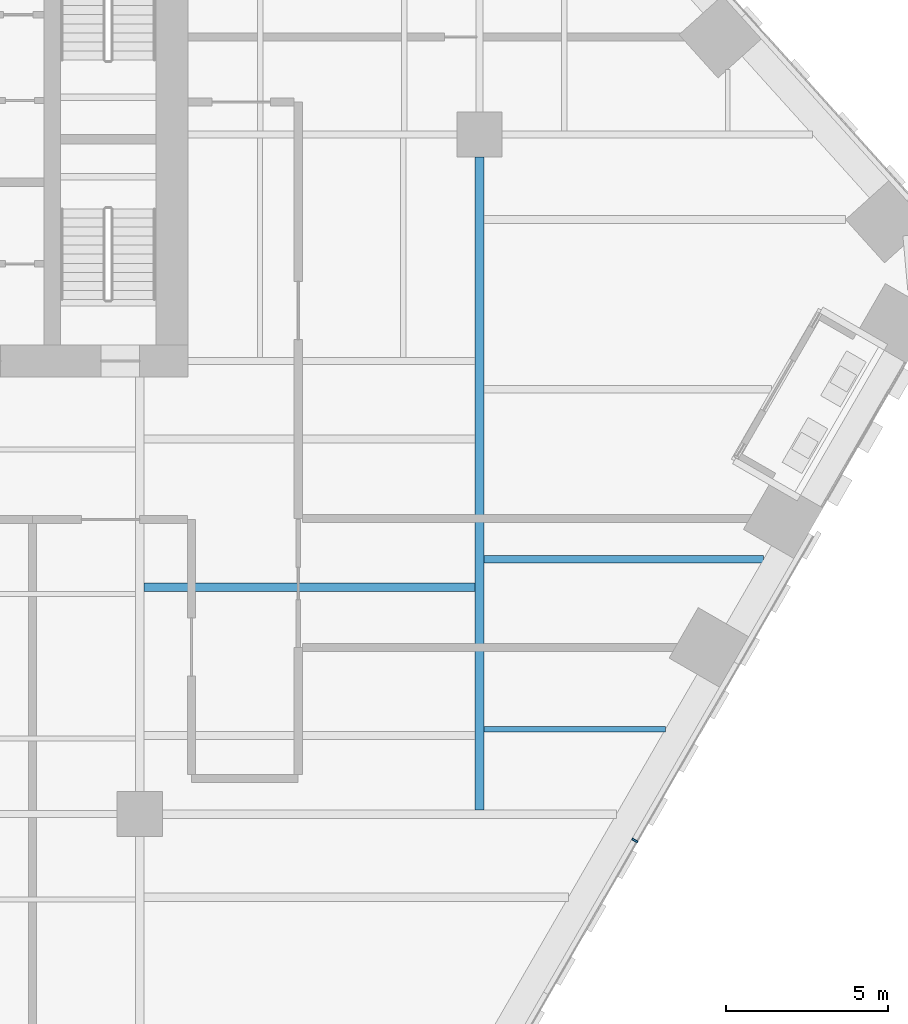
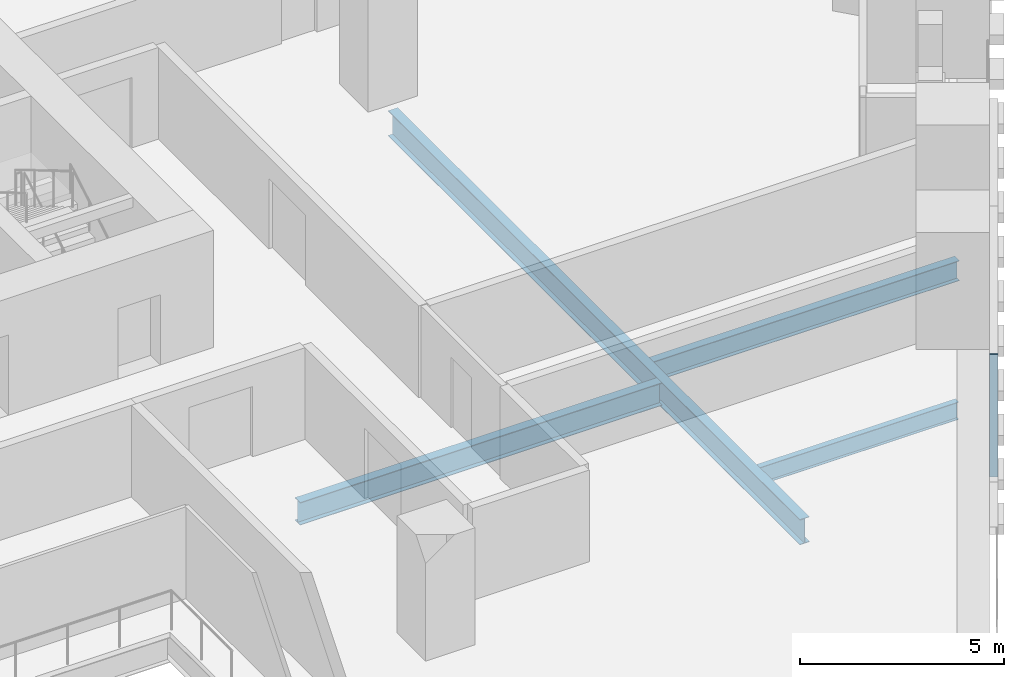
# One storey, part 8 of 31: 4 beams, 1 member, 1 element without a shape of its own.
"""IFC4 building model written with IfcOpenShell, lengths in metres."""

from ifc_helpers import new_model, si_unit, direction, frame, origin, origin_2d, place, context, subcontext, project, spatial, rectangle, i_section, extrude, material, layer, layer_set, material_profile, profile_set, type_object, element, aggregate, save


model = new_model("IFC4")

# Units and contexts
model_context = context("Model", 3, precision=1e-05, world=origin(), true_north=direction((0.0, 1.0)))
body_context = subcontext(model_context, "Body", "Model", "MODEL_VIEW")
ifc_project = project(units=[si_unit("LENGTHUNIT", "METRE"), si_unit("AREAUNIT", "SQUARE_METRE"), si_unit("VOLUMEUNIT", "CUBIC_METRE"), si_unit("PLANEANGLEUNIT", "RADIAN"), si_unit("MASSUNIT", "GRAM", prefix="KILO")], contexts=[model_context])

# Site, building, storey
site_placement = place(None, origin())
site = spatial("IfcSite", under=ifc_project, at=site_placement, CompositionType="ELEMENT")
building_placement = place(site_placement, origin())
building = spatial("IfcBuilding", under=site, at=building_placement, Name="Isthmus Gate Tower", CompositionType="ELEMENT")
storey_placement = place(building_placement, frame((0.0, 0.0, 39.64990234375)))
storey = spatial("IfcBuildingStorey", under=building, at=storey_placement, Name="L07", CompositionType="ELEMENT", Elevation=39.64990234375)

# Curtain wall, member
ifc_material_1 = material(Name="Aluminium, pale champagne anodised", Category="aluminium")
ifc_layer = layer(ifc_material_1, 0.199951171875)
ifc_layer_set = layer_set([ifc_layer], Name="CW-1 UNITISED CURTAIN WALL 200 DEEP")
curtain_wall_type = type_object("IfcCurtainWallType", Name="CW-1 UNITISED CURTAIN WALL 200 DEEP", PredefinedType="NOTDEFINED", material=ifc_layer_set)
curtain_wall_placement = place(storey_placement, origin())
curtain_wall = element("IfcCurtainWall", 1, at=curtain_wall_placement, inside=storey, type_object=curtain_wall_type, Name="CW-1 SE L07", PredefinedType="NOTDEFINED")
ifc_material_2 = material(Name="Aluminium, pale champagne anodised", Category="aluminium")
ifc_material_profile_1 = material_profile(ifc_material_2, rectangle(XDim=0.06005859375, YDim=0.199951171875, at=origin_2d()), Name="60x200")
ifc_profile_set_1 = profile_set([ifc_material_profile_1], Name="Aluminium, pale champagne anodised")
member_type = type_object("IfcMemberType", Name="CW-1 MULLION 60 X 200", PredefinedType="MULLION", material=ifc_profile_set_1)
member_placement = place(storey_placement, frame((28.802001953125, -14.3134765625, 0.0), z_axis=(0.0, 0.0, 1.0), x_axis=(0.5, 0.866025403784, 0.0)))
member = element("IfcMember", 2, at=member_placement, type_object=member_type, Name="CW-1 mullion", PredefinedType="MULLION", context=body_context, shape_type="SweptSolid", body=[
    extrude(rectangle(XDim=0.06005859375, YDim=0.199951171875, at=origin_2d()), origin(), (0.0, 0.0, 1.0), 3.650146484375),
])
aggregate(curtain_wall, [member])

# Beams
ifc_material_3 = material(Name="Structural steel ASTM A992 Gr 50", Category="steel")
ifc_material_profile_2 = material_profile(ifc_material_3, i_section(OverallWidth=0.1650390625, OverallDepth=0.52392578125, WebThickness=0.009521484375, FlangeThickness=0.010986328125, at=origin_2d()), Name="W21X44")
ifc_profile_set_2 = profile_set([ifc_material_profile_2], Name="Structural steel ASTM A992 Gr 50")
beam_type_1 = type_object("IfcBeamType", Name="STEEL FLOOR BEAM W21X44", PredefinedType="JOIST", material=ifc_profile_set_2)
beam_1_placement = place(storey_placement, frame((24.13330078125, -10.875, -0.411865234375), z_axis=(1.0, 0.0, 0.0), x_axis=(0.0, 1.0, 0.0)))
element("IfcBeam", 3, at=beam_1_placement, inside=storey, type_object=beam_type_1, Name="str-beam-L07-41-00", PredefinedType="JOIST", context=body_context, shape_type="SweptSolid", body=[
    extrude(i_section(OverallWidth=0.1650390625, OverallDepth=0.52392578125, WebThickness=0.009521484375, FlangeThickness=0.010986328125, at=origin_2d()), origin(), (0.0, 0.0, 1.0), 5.61474609375),
])
ifc_material_4 = material(Name="Structural steel ASTM A992 Gr 50", Category="steel")
ifc_material_profile_3 = material_profile(ifc_material_4, i_section(OverallWidth=0.228515625, OverallDepth=0.603271484375, WebThickness=0.010986328125, FlangeThickness=0.014404296875, at=origin_2d()), Name="W24X68")
ifc_profile_set_3 = profile_set([ifc_material_profile_3], Name="Structural steel ASTM A992 Gr 50")
beam_type_2 = type_object("IfcBeamType", Name="STEEL FLOOR BEAM W24X68", PredefinedType="JOIST", material=ifc_profile_set_3)
beam_2_placement = place(storey_placement, frame((24.13330078125, -5.625, -0.451416015625), z_axis=(1.0, 0.0, 0.0), x_axis=(0.0, 1.0, 0.0)))
element("IfcBeam", 4, at=beam_2_placement, inside=storey, type_object=beam_type_2, Name="str-beam-L07-41-01", PredefinedType="JOIST", context=body_context, shape_type="SweptSolid", body=[
    extrude(i_section(OverallWidth=0.228515625, OverallDepth=0.603271484375, WebThickness=0.010986328125, FlangeThickness=0.014404296875, at=origin_2d()), origin(), (0.0, 0.0, 1.0), 8.645751953125),
])
ifc_material_5 = material(Name="Structural steel ASTM A992 Gr 50", Category="steel")
ifc_material_profile_4 = material_profile(ifc_material_5, i_section(OverallWidth=0.25390625, OverallDepth=0.679443359375, WebThickness=0.010986328125, FlangeThickness=0.015869140625, at=origin_2d()), Name="W27X84")
ifc_profile_set_4 = profile_set([ifc_material_profile_4], Name="Structural steel ASTM A992 Gr 50")
beam_type_3 = type_object("IfcBeamType", Name="STEEL FLOOR BEAM W27X84", PredefinedType="JOIST", material=ifc_profile_set_4)
beam_3_placement = place(storey_placement, frame((13.6318359375, -6.490478515625, -0.489501953125), z_axis=(1.0, 0.0, 0.0), x_axis=(0.0, 1.0, 0.0)))
element("IfcBeam", 5, at=beam_3_placement, inside=storey, type_object=beam_type_3, Name="str-beam-L07-32-01", PredefinedType="JOIST", context=body_context, shape_type="SweptSolid", body=[
    extrude(i_section(OverallWidth=0.25390625, OverallDepth=0.679443359375, WebThickness=0.010986328125, FlangeThickness=0.015869140625, at=origin_2d()), origin(), (0.0, 0.0, 1.0), 10.23486328125),
])
ifc_material_6 = material(Name="Structural steel ASTM A992 Gr 50", Category="steel")
ifc_material_profile_5 = material_profile(ifc_material_6, i_section(OverallWidth=0.2666015625, OverallDepth=0.7587890625, WebThickness=0.014404296875, FlangeThickness=0.01904296875, at=origin_2d()), Name="W30X108")
ifc_profile_set_5 = profile_set([ifc_material_profile_5], Name="Structural steel ASTM A992 Gr 50")
beam_type_4 = type_object("IfcBeamType", Name="STEEL GIRDER W30X108", PredefinedType="BEAM", material=ifc_profile_set_5)
beam_4_placement = place(storey_placement, frame((24.0, -13.36669921875, -0.529296875), z_axis=(0.0, 1.0, 0.0), x_axis=(-1.0, 0.0, 0.0)))
element("IfcBeam", 6, at=beam_4_placement, inside=storey, type_object=beam_type_4, Name="str-girder-L07-35", PredefinedType="BEAM", context=body_context, shape_type="SweptSolid", body=[
    extrude(i_section(OverallWidth=0.2666015625, OverallDepth=0.7587890625, WebThickness=0.014404296875, FlangeThickness=0.01904296875, at=origin_2d()), origin(), (0.0, 0.0, 1.0), 20.166748046875),
])

save(model, "model.ifc")
